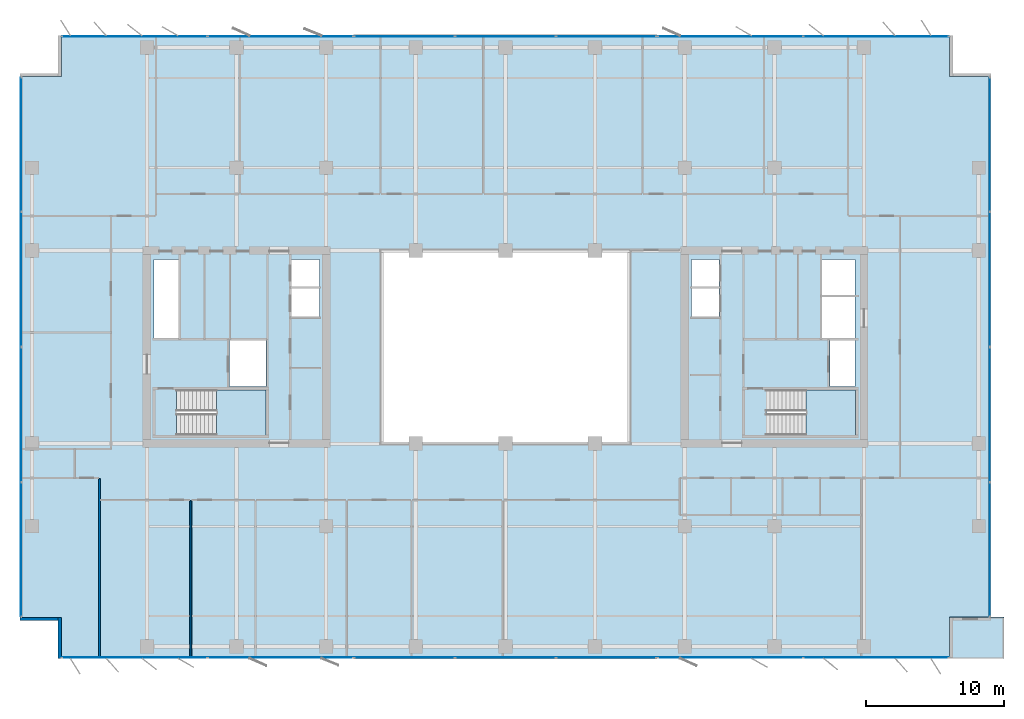
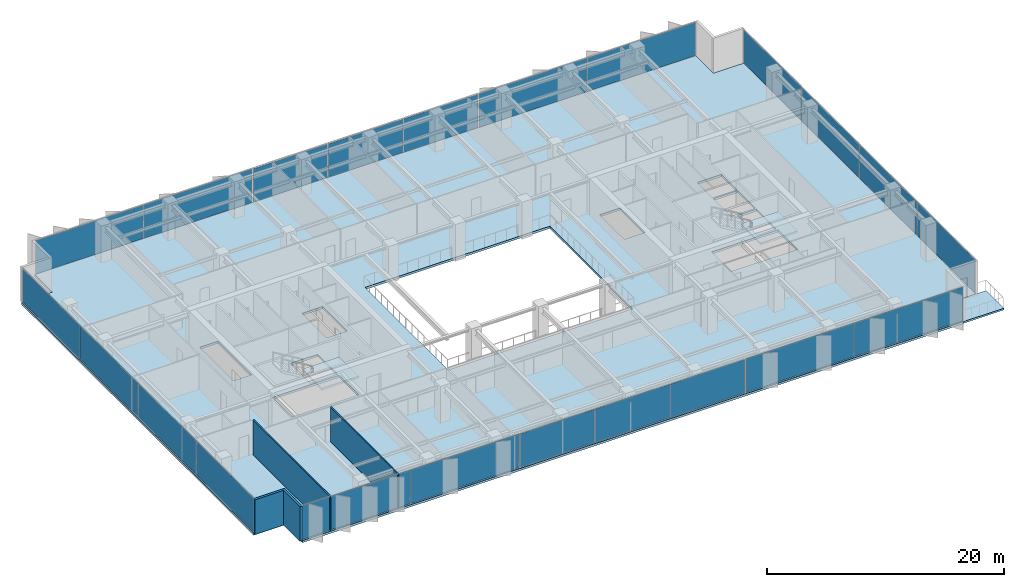
# One storey, part 14 of 22: 22 plates, 4 slabs, 4 walls, 10 elements without a shape of their own.
"""IFC4 building model written with IfcOpenShell, lengths in metres."""

from ifc_helpers import new_model, si_unit, direction, frame, frame_2d, origin, origin_2d, place, context, subcontext, project, spatial, polyline, rectangle, outline, extrude, material, layer, layer_set, type_object, element, aggregate, save


model = new_model("IFC4")

# Units and contexts
model_context = context("Model", 3, precision=1e-05, world=origin(), true_north=direction((0.0, 1.0)))
body_context = subcontext(model_context, "Body", "Model", "MODEL_VIEW")
ifc_project = project(units=[si_unit("LENGTHUNIT", "METRE"), si_unit("AREAUNIT", "SQUARE_METRE"), si_unit("VOLUMEUNIT", "CUBIC_METRE"), si_unit("PLANEANGLEUNIT", "RADIAN"), si_unit("MASSUNIT", "GRAM", prefix="KILO")], contexts=[model_context])

# Site, building, storey
site_placement = place(None, origin())
site = spatial("IfcSite", under=ifc_project, at=site_placement, CompositionType="ELEMENT")
building_placement = place(site_placement, origin())
building = spatial("IfcBuilding", under=site, at=building_placement, Name="Putna Gate Headquarters", CompositionType="ELEMENT")
storey_placement = place(building_placement, frame((0.0, 0.0, 174.60009765625)))
storey = spatial("IfcBuildingStorey", under=building, at=storey_placement, Name="L43", CompositionType="ELEMENT", Elevation=174.60009765625)

# Stair, slab
ifc_material_1 = material(Name="Concrete C40/50", Category="concrete")
stair_type_1 = type_object("IfcStairType", Name="STAIR-ST1", PredefinedType="HALF_TURN_STAIR", material=ifc_material_1)
stair_1_placement = place(storey_placement, origin())
stair_1 = element("IfcStair", 1, at=stair_1_placement, inside=storey, type_object=stair_type_1, Name="L43 West Core Exit Stair ST1", PredefinedType="HALF_TURN_STAIR")
ifc_layer_1 = layer(ifc_material_1, 0.199951171875)
ifc_layer_set_1 = layer_set([ifc_layer_1], Name="Concrete C40/50")
slab_type_1 = type_object("IfcSlabType", Name="LANDING-ST1", PredefinedType="LANDING", material=ifc_layer_set_1)
slab_1_placement = place(storey_placement, frame((0.0, 0.0, 1.699951171875)))
slab_1 = element("IfcSlab", 2, at=slab_1_placement, type_object=slab_type_1, Name="ST1 landing 1", PredefinedType="LANDING", context=body_context, shape_type="SweptSolid", body=[
    extrude(outline(polyline([(18.050048828125, 19.60009765625), (21.64990234375, 19.60009765625), (21.64990234375, 22.89990234375), (18.050048828125, 22.89990234375), (18.050048828125, 19.60009765625)])), origin(), (0.0, 0.0, 1.0), 0.199951171875),
])
aggregate(stair_1, [slab_1])

stair_type_2 = type_object("IfcStairType", Name="STAIR-ST2", PredefinedType="HALF_TURN_STAIR", material=ifc_material_1)
stair_2_placement = place(storey_placement, origin())
stair_2 = element("IfcStair", 3, at=stair_2_placement, inside=storey, type_object=stair_type_2, Name="L43 East Core Exit Stair ST2", PredefinedType="HALF_TURN_STAIR")
ifc_layer_2 = layer(ifc_material_1, 0.199951171875)
ifc_layer_set_2 = layer_set([ifc_layer_2], Name="Concrete C40/50")
slab_type_2 = type_object("IfcSlabType", Name="LANDING-ST2", PredefinedType="LANDING", material=ifc_layer_set_2)
slab_2_placement = place(storey_placement, frame((0.0, 0.0, 1.699951171875)))
slab_2 = element("IfcSlab", 4, at=slab_2_placement, type_object=slab_type_2, Name="ST2 landing 1", PredefinedType="LANDING", context=body_context, shape_type="SweptSolid", body=[
    extrude(outline(polyline([(60.800048828125, 19.60009765625), (64.39990234375, 19.60009765625), (64.39990234375, 22.89990234375), (60.800048828125, 22.89990234375), (60.800048828125, 19.60009765625)])), origin(), (0.0, 0.0, 1.0), 0.199951171875),
])
aggregate(stair_2, [slab_2])

# Curtain wall, plates
ifc_material_2 = material(Name="Anodised bronze aluminium curtain wall", Category="aluminium")
ifc_layer_3 = layer(ifc_material_2, 0.159912109375)
ifc_layer_set_3 = layer_set([ifc_layer_3], Name="Anodised bronze aluminium curtain wall")
curtain_wall_type_1 = type_object("IfcCurtainWallType", Name="CW-SYS-Z3", PredefinedType="USERDEFINED", material=ifc_layer_set_3)
curtain_wall_1_placement = place(storey_placement, origin())
curtain_wall_1 = element("IfcCurtainWall", 5, at=curtain_wall_1_placement, inside=storey, type_object=curtain_wall_type_1, Name="L43 South West Curtain Wall", ObjectType="STICK CURTAIN WALL", PredefinedType="USERDEFINED")
ifc_material_3 = material(Name="Solar-control triple low-E glass", Category="glass")
ifc_layer_4 = layer(ifc_material_3, 0.028076171875)
ifc_layer_set_4 = layer_set([ifc_layer_4], Name="Solar-control triple low-E glass")
plate_type_1 = type_object("IfcPlateType", Name="PAN-CWP-3", PredefinedType="CURTAIN_PANEL", material=ifc_layer_set_4)
plate_1_placement = place(storey_placement, frame((12.1162109375, 3.47998046875, 0.06005859375), z_axis=(0.0, 0.0, 1.0), x_axis=(1.0, 0.0, 0.0)))
plate_1 = element("IfcPlate", 6, at=plate_1_placement, type_object=plate_type_1, Name="CWS-3 panel 1.1", PredefinedType="CURTAIN_PANEL", context=body_context, shape_type="SweptSolid", body=[
    extrude(rectangle(XDim=10.50244140625, YDim=0.028076171875, at=origin_2d()), origin(), (0.0, 0.0, 1.0), 3.451904296875),
])
plate_2_placement = place(storey_placement, frame((22.683837890625, 3.47998046875, 0.06005859375), z_axis=(0.0, 0.0, 1.0), x_axis=(1.0, 0.0, 0.0)))
plate_2 = element("IfcPlate", 7, at=plate_2_placement, type_object=plate_type_1, Name="CWS-3 panel 2.1", PredefinedType="CURTAIN_PANEL", context=body_context, shape_type="SweptSolid", body=[
    extrude(rectangle(XDim=10.50244140625, YDim=0.028076171875, at=origin_2d()), origin(), (0.0, 0.0, 1.0), 3.451904296875),
])
aggregate(curtain_wall_1, [plate_1, plate_2])

curtain_wall_2_placement = place(storey_placement, origin())
curtain_wall_2 = element("IfcCurtainWall", 8, at=curtain_wall_2_placement, inside=storey, type_object=curtain_wall_type_1, Name="L43 South East Curtain Wall", ObjectType="STICK CURTAIN WALL", PredefinedType="USERDEFINED")
plate_3_placement = place(storey_placement, frame((55.316162109375, 3.47998046875, 0.06005859375), z_axis=(0.0, 0.0, 1.0), x_axis=(1.0, 0.0, 0.0)))
plate_3 = element("IfcPlate", 9, at=plate_3_placement, type_object=plate_type_1, Name="CWS-3 panel 1.1", PredefinedType="CURTAIN_PANEL", context=body_context, shape_type="SweptSolid", body=[
    extrude(rectangle(XDim=10.50244140625, YDim=0.028076171875, at=origin_2d()), origin(), (0.0, 0.0, 1.0), 3.451904296875),
])
plate_4_placement = place(storey_placement, frame((65.8837890625, 3.47998046875, 0.06005859375), z_axis=(0.0, 0.0, 1.0), x_axis=(1.0, 0.0, 0.0)))
plate_4 = element("IfcPlate", 10, at=plate_4_placement, type_object=plate_type_1, Name="CWS-3 panel 2.1", PredefinedType="CURTAIN_PANEL", context=body_context, shape_type="SweptSolid", body=[
    extrude(rectangle(XDim=10.50244140625, YDim=0.028076171875, at=origin_2d()), origin(), (0.0, 0.0, 1.0), 3.451904296875),
])
aggregate(curtain_wall_2, [plate_3, plate_4])

curtain_wall_3_placement = place(storey_placement, origin())
curtain_wall_3 = element("IfcCurtainWall", 11, at=curtain_wall_3_placement, inside=storey, type_object=curtain_wall_type_1, Name="L43 North West Curtain Wall", ObjectType="STICK CURTAIN WALL", PredefinedType="USERDEFINED")
plate_5_placement = place(storey_placement, frame((12.1162109375, 48.52001953125, 0.06005859375), z_axis=(0.0, 0.0, 1.0), x_axis=(1.0, 0.0, 0.0)))
plate_5 = element("IfcPlate", 12, at=plate_5_placement, type_object=plate_type_1, Name="CWS-3 panel 1.1", PredefinedType="CURTAIN_PANEL", context=body_context, shape_type="SweptSolid", body=[
    extrude(rectangle(XDim=10.50244140625, YDim=0.028076171875, at=origin_2d()), origin(), (0.0, 0.0, 1.0), 3.451904296875),
])
plate_6_placement = place(storey_placement, frame((22.683837890625, 48.52001953125, 0.06005859375), z_axis=(0.0, 0.0, 1.0), x_axis=(1.0, 0.0, 0.0)))
plate_6 = element("IfcPlate", 13, at=plate_6_placement, type_object=plate_type_1, Name="CWS-3 panel 2.1", PredefinedType="CURTAIN_PANEL", context=body_context, shape_type="SweptSolid", body=[
    extrude(rectangle(XDim=10.50244140625, YDim=0.028076171875, at=origin_2d()), origin(), (0.0, 0.0, 1.0), 3.451904296875),
])
aggregate(curtain_wall_3, [plate_5, plate_6])

curtain_wall_4_placement = place(storey_placement, origin())
curtain_wall_4 = element("IfcCurtainWall", 14, at=curtain_wall_4_placement, inside=storey, type_object=curtain_wall_type_1, Name="L43 North East Curtain Wall", ObjectType="STICK CURTAIN WALL", PredefinedType="USERDEFINED")
plate_7_placement = place(storey_placement, frame((55.316162109375, 48.52001953125, 0.06005859375), z_axis=(0.0, 0.0, 1.0), x_axis=(1.0, 0.0, 0.0)))
plate_7 = element("IfcPlate", 15, at=plate_7_placement, type_object=plate_type_1, Name="CWS-3 panel 1.1", PredefinedType="CURTAIN_PANEL", context=body_context, shape_type="SweptSolid", body=[
    extrude(rectangle(XDim=10.50244140625, YDim=0.028076171875, at=origin_2d()), origin(), (0.0, 0.0, 1.0), 3.451904296875),
])
plate_8_placement = place(storey_placement, frame((65.8837890625, 48.52001953125, 0.06005859375), z_axis=(0.0, 0.0, 1.0), x_axis=(1.0, 0.0, 0.0)))
plate_8 = element("IfcPlate", 16, at=plate_8_placement, type_object=plate_type_1, Name="CWS-3 panel 2.1", PredefinedType="CURTAIN_PANEL", context=body_context, shape_type="SweptSolid", body=[
    extrude(rectangle(XDim=10.50244140625, YDim=0.028076171875, at=origin_2d()), origin(), (0.0, 0.0, 1.0), 3.451904296875),
])
aggregate(curtain_wall_4, [plate_7, plate_8])

curtain_wall_5_placement = place(storey_placement, origin())
curtain_wall_5 = element("IfcCurtainWall", 17, at=curtain_wall_5_placement, inside=storey, type_object=curtain_wall_type_1, Name="L43 West Curtain Wall", ObjectType="STICK CURTAIN WALL", PredefinedType="USERDEFINED")
plate_9_placement = place(storey_placement, frame((3.8798828125, 11.316162109375, 0.06005859375), z_axis=(0.0, 0.0, 1.0), x_axis=(0.0, 1.0, 0.0)))
plate_9 = element("IfcPlate", 18, at=plate_9_placement, type_object=plate_type_1, Name="CWS-3 panel 1.1", PredefinedType="CURTAIN_PANEL", context=body_context, shape_type="SweptSolid", body=[
    extrude(rectangle(XDim=9.702392578125, YDim=0.028076171875, at=origin_2d()), origin(), (0.0, 0.0, 1.0), 3.451904296875),
])
plate_10_placement = place(storey_placement, frame((3.8798828125, 21.10009765625, 0.06005859375), z_axis=(0.0, 0.0, 1.0), x_axis=(0.0, 1.0, 0.0)))
plate_10 = element("IfcPlate", 19, at=plate_10_placement, type_object=plate_type_1, Name="CWS-3 panel 2.1", PredefinedType="CURTAIN_PANEL", context=body_context, shape_type="SweptSolid", body=[
    extrude(rectangle(XDim=9.735107421875, YDim=0.028076171875, at=origin_2d()), origin(), (0.0, 0.0, 1.0), 3.451904296875),
])
plate_11_placement = place(storey_placement, frame((3.8798828125, 30.89990234375, 0.06005859375), z_axis=(0.0, 0.0, 1.0), x_axis=(0.0, 1.0, 0.0)))
plate_11 = element("IfcPlate", 20, at=plate_11_placement, type_object=plate_type_1, Name="CWS-3 panel 3.1", PredefinedType="CURTAIN_PANEL", context=body_context, shape_type="SweptSolid", body=[
    extrude(rectangle(XDim=9.735107421875, YDim=0.028076171875, at=origin_2d()), origin(), (0.0, 0.0, 1.0), 3.451904296875),
])
plate_12_placement = place(storey_placement, frame((3.8798828125, 40.683837890625, 0.06005859375), z_axis=(0.0, 0.0, 1.0), x_axis=(0.0, 1.0, 0.0)))
plate_12 = element("IfcPlate", 21, at=plate_12_placement, type_object=plate_type_1, Name="CWS-3 panel 4.1", PredefinedType="CURTAIN_PANEL", context=body_context, shape_type="SweptSolid", body=[
    extrude(rectangle(XDim=9.702392578125, YDim=0.028076171875, at=origin_2d()), origin(), (0.0, 0.0, 1.0), 3.451904296875),
])
aggregate(curtain_wall_5, [plate_9, plate_10, plate_11, plate_12])

curtain_wall_6_placement = place(storey_placement, origin())
curtain_wall_6 = element("IfcCurtainWall", 22, at=curtain_wall_6_placement, inside=storey, type_object=curtain_wall_type_1, Name="L43 East Curtain Wall", ObjectType="STICK CURTAIN WALL", PredefinedType="USERDEFINED")
plate_13_placement = place(storey_placement, frame((74.1201171875, 11.316162109375, 0.06005859375), z_axis=(0.0, 0.0, 1.0), x_axis=(0.0, 1.0, 0.0)))
plate_13 = element("IfcPlate", 23, at=plate_13_placement, type_object=plate_type_1, Name="CWS-3 panel 1.1", PredefinedType="CURTAIN_PANEL", context=body_context, shape_type="SweptSolid", body=[
    extrude(rectangle(XDim=9.702392578125, YDim=0.028076171875, at=origin_2d()), origin(), (0.0, 0.0, 1.0), 3.451904296875),
])
plate_14_placement = place(storey_placement, frame((74.1201171875, 21.10009765625, 0.06005859375), z_axis=(0.0, 0.0, 1.0), x_axis=(0.0, 1.0, 0.0)))
plate_14 = element("IfcPlate", 24, at=plate_14_placement, type_object=plate_type_1, Name="CWS-3 panel 2.1", PredefinedType="CURTAIN_PANEL", context=body_context, shape_type="SweptSolid", body=[
    extrude(rectangle(XDim=9.735107421875, YDim=0.028076171875, at=origin_2d()), origin(), (0.0, 0.0, 1.0), 3.451904296875),
])
plate_15_placement = place(storey_placement, frame((74.1201171875, 30.89990234375, 0.06005859375), z_axis=(0.0, 0.0, 1.0), x_axis=(0.0, 1.0, 0.0)))
plate_15 = element("IfcPlate", 25, at=plate_15_placement, type_object=plate_type_1, Name="CWS-3 panel 3.1", PredefinedType="CURTAIN_PANEL", context=body_context, shape_type="SweptSolid", body=[
    extrude(rectangle(XDim=9.735107421875, YDim=0.028076171875, at=origin_2d()), origin(), (0.0, 0.0, 1.0), 3.451904296875),
])
plate_16_placement = place(storey_placement, frame((74.1201171875, 40.683837890625, 0.06005859375), z_axis=(0.0, 0.0, 1.0), x_axis=(0.0, 1.0, 0.0)))
plate_16 = element("IfcPlate", 26, at=plate_16_placement, type_object=plate_type_1, Name="CWS-3 panel 4.1", PredefinedType="CURTAIN_PANEL", context=body_context, shape_type="SweptSolid", body=[
    extrude(rectangle(XDim=9.702392578125, YDim=0.028076171875, at=origin_2d()), origin(), (0.0, 0.0, 1.0), 3.451904296875),
])
aggregate(curtain_wall_6, [plate_13, plate_14, plate_15, plate_16])

ifc_layer_5 = layer(ifc_material_2, 0.179931640625)
ifc_layer_set_5 = layer_set([ifc_layer_5], Name="Anodised bronze aluminium curtain wall")
curtain_wall_type_2 = type_object("IfcCurtainWallType", Name="CW-SYS-ATR", PredefinedType="USERDEFINED", material=ifc_layer_set_5)
curtain_wall_7_placement = place(storey_placement, origin())
curtain_wall_7 = element("IfcCurtainWall", 27, at=curtain_wall_7_placement, inside=storey, type_object=curtain_wall_type_2, Name="L43 South Atrium Clear Glazing", ObjectType="ATRIUM GLAZING", PredefinedType="USERDEFINED")
ifc_material_4 = material(Name="Clear low-iron triple glazing", Category="glass")
ifc_layer_6 = layer(ifc_material_4, 0.0400390625)
ifc_layer_set_6 = layer_set([ifc_layer_6], Name="Clear low-iron triple glazing")
plate_type_2 = type_object("IfcPlateType", Name="PAN-CWP-AT", PredefinedType="CURTAIN_PANEL", material=ifc_layer_set_6)
plate_17_placement = place(storey_placement, frame((31.68408203125, 3.47998046875, 0.06982421875), z_axis=(0.0, 0.0, 1.0), x_axis=(1.0, 0.0, 0.0)))
plate_17 = element("IfcPlate", 28, at=plate_17_placement, type_object=plate_type_2, Name="CWS-AT panel 1.1", PredefinedType="CURTAIN_PANEL", context=body_context, shape_type="SweptSolid", body=[
    extrude(rectangle(XDim=7.228271484375, YDim=0.0400390625, at=origin_2d()), origin(), (0.0, 0.0, 1.0), 3.431884765625),
])
plate_18_placement = place(storey_placement, frame((39.0, 3.47998046875, 0.06982421875), z_axis=(0.0, 0.0, 1.0), x_axis=(1.0, 0.0, 0.0)))
plate_18 = element("IfcPlate", 29, at=plate_18_placement, type_object=plate_type_2, Name="CWS-AT panel 2.1", PredefinedType="CURTAIN_PANEL", context=body_context, shape_type="SweptSolid", body=[
    extrude(rectangle(XDim=7.263427734375, YDim=0.0400390625, at=origin_2d()), origin(), (0.0, 0.0, 1.0), 3.431884765625),
])
plate_19_placement = place(storey_placement, frame((46.31591796875, 3.47998046875, 0.06982421875), z_axis=(0.0, 0.0, 1.0), x_axis=(1.0, 0.0, 0.0)))
plate_19 = element("IfcPlate", 30, at=plate_19_placement, type_object=plate_type_2, Name="CWS-AT panel 3.1", PredefinedType="CURTAIN_PANEL", context=body_context, shape_type="SweptSolid", body=[
    extrude(rectangle(XDim=7.228271484375, YDim=0.0400390625, at=origin_2d()), origin(), (0.0, 0.0, 1.0), 3.431884765625),
])
aggregate(curtain_wall_7, [plate_17, plate_18, plate_19])

curtain_wall_8_placement = place(storey_placement, origin())
curtain_wall_8 = element("IfcCurtainWall", 31, at=curtain_wall_8_placement, inside=storey, type_object=curtain_wall_type_2, Name="L43 North Atrium Clear Glazing", ObjectType="ATRIUM GLAZING", PredefinedType="USERDEFINED")
plate_20_placement = place(storey_placement, frame((31.68408203125, 48.52001953125, 0.06982421875), z_axis=(0.0, 0.0, 1.0), x_axis=(1.0, 0.0, 0.0)))
plate_20 = element("IfcPlate", 32, at=plate_20_placement, type_object=plate_type_2, Name="CWS-AT panel 1.1", PredefinedType="CURTAIN_PANEL", context=body_context, shape_type="SweptSolid", body=[
    extrude(rectangle(XDim=7.228271484375, YDim=0.0400390625, at=origin_2d()), origin(), (0.0, 0.0, 1.0), 3.431884765625),
])
plate_21_placement = place(storey_placement, frame((39.0, 48.52001953125, 0.06982421875), z_axis=(0.0, 0.0, 1.0), x_axis=(1.0, 0.0, 0.0)))
plate_21 = element("IfcPlate", 33, at=plate_21_placement, type_object=plate_type_2, Name="CWS-AT panel 2.1", PredefinedType="CURTAIN_PANEL", context=body_context, shape_type="SweptSolid", body=[
    extrude(rectangle(XDim=7.263427734375, YDim=0.0400390625, at=origin_2d()), origin(), (0.0, 0.0, 1.0), 3.431884765625),
])
plate_22_placement = place(storey_placement, frame((46.31591796875, 48.52001953125, 0.06982421875), z_axis=(0.0, 0.0, 1.0), x_axis=(1.0, 0.0, 0.0)))
plate_22 = element("IfcPlate", 34, at=plate_22_placement, type_object=plate_type_2, Name="CWS-AT panel 3.1", PredefinedType="CURTAIN_PANEL", context=body_context, shape_type="SweptSolid", body=[
    extrude(rectangle(XDim=7.228271484375, YDim=0.0400390625, at=origin_2d()), origin(), (0.0, 0.0, 1.0), 3.431884765625),
])
aggregate(curtain_wall_8, [plate_20, plate_21, plate_22])

# Slabs
ifc_layer_7 = layer(ifc_material_1, 0.179931640625)
ifc_layer_set_7 = layer_set([ifc_layer_7], Name="Concrete C40/50")
slab_type_3 = type_object("IfcSlabType", Name="SLAB-TERRACE-180", PredefinedType="FLOOR", material=ifc_layer_set_7)
slab_3_placement = place(storey_placement, frame((0.0, 0.0, -0.18017578125)))
element("IfcSlab", 35, at=slab_3_placement, inside=storey, type_object=slab_type_3, Name="L43 Spiral Sky-Garden Terrace Slab (SE)", PredefinedType="FLOOR", context=body_context, shape_type="SweptSolid", body=[
    extrude(outline(polyline([(71.19189453125, 3.39990234375), (75.14990234375, 3.39990234375), (75.14990234375, 6.407958984375), (71.19189453125, 6.407958984375), (71.19189453125, 3.39990234375)])), origin(), (0.0, 0.0, 1.0), 0.18017578125),
])
ifc_layer_8 = layer(ifc_material_1, 0.22802734375)
ifc_layer_set_8 = layer_set([ifc_layer_8], Name="Concrete C40/50")
slab_type_4 = type_object("IfcSlabType", Name="SLAB-Z3-228", PredefinedType="FLOOR", material=ifc_layer_set_8)
slab_4_placement = place(storey_placement, frame((0.0, 0.0, -0.22802734375)))
element("IfcSlab", 36, at=slab_4_placement, inside=storey, type_object=slab_type_4, Name="L43 Composite Floor Slab", PredefinedType="FLOOR", context=body_context, shape_type="SweptSolid", body=[
    extrude(outline(polyline([(6.800048828125, 3.39990234375), (71.199951171875, 3.39990234375), (71.199951171875, 6.39990234375), (74.199951171875, 6.39990234375), (74.199951171875, 45.60009765625), (71.199951171875, 45.60009765625), (71.199951171875, 48.60009765625), (6.800048828125, 48.60009765625), (6.800048828125, 45.60009765625), (3.800048828125, 45.60009765625), (3.800048828125, 6.39990234375), (6.800048828125, 6.39990234375), (6.800048828125, 3.39990234375)]), holes=[polyline([(15.1650390625, 19.60009765625), (21.64990234375, 19.60009765625), (21.64990234375, 22.89990234375), (15.1650390625, 22.89990234375), (15.1650390625, 19.60009765625)]), polyline([(57.9150390625, 19.60009765625), (64.39990234375, 19.60009765625), (64.39990234375, 22.89990234375), (57.9150390625, 22.89990234375), (57.9150390625, 19.60009765625)]), polyline([(13.52001953125, 26.659912109375), (15.280029296875, 26.659912109375), (15.280029296875, 32.35009765625), (13.52001953125, 32.35009765625), (13.52001953125, 26.659912109375)]), polyline([(61.969970703125, 29.780029296875), (64.35009765625, 29.780029296875), (64.35009765625, 32.35009765625), (61.969970703125, 32.35009765625), (61.969970703125, 29.780029296875)]), polyline([(18.97998046875, 23.1201171875), (21.6201171875, 23.1201171875), (21.6201171875, 26.4599609375), (18.97998046875, 26.4599609375), (18.97998046875, 23.1201171875)]), polyline([(62.52001953125, 23.1201171875), (64.35009765625, 23.1201171875), (64.35009765625, 26.4599609375), (62.52001953125, 26.4599609375), (62.52001953125, 23.1201171875)]), polyline([(61.969970703125, 26.659912109375), (64.35009765625, 26.659912109375), (64.35009765625, 29.6201171875), (61.969970703125, 29.6201171875), (61.969970703125, 26.659912109375)]), polyline([(23.5, 28.199951171875), (25.5, 28.199951171875), (25.5, 32.35009765625), (23.5, 32.35009765625), (23.5, 28.199951171875)]), polyline([(52.47998046875, 28.199951171875), (54.5, 28.199951171875), (54.5, 32.35009765625), (52.47998046875, 32.35009765625), (52.47998046875, 28.199951171875)]), polyline([(30.0, 19.0), (48.0, 19.0), (48.0, 33.0), (30.0, 33.0), (30.0, 19.0)])]), origin(), (0.0, 0.0, 1.0), 0.22802734375),
])

# Walls
ifc_material_5 = material(Name="Precast concrete C40/50", Category="concrete")
ifc_layer_9 = layer(ifc_material_5, 0.239990234375)
ifc_layer_set_9 = layer_set([ifc_layer_9], Name="Precast concrete C40/50")
wall_type_1 = type_object("IfcWallType", Name="WALL-EXT-TERR-240", PredefinedType="STANDARD", material=ifc_layer_set_9)
for number, where, z_axis, x_axis, name in (
    (37, (6.679931640625, 3.39990234375, 0.0), (0.0, 0.0, 1.0), (0.0, 1.0, 0.0), "L43 Corner Notch Return Wall SW-V"),
    (38, (6.800048828125, 6.280029296875, 0.0), (0.0, 0.0, 1.0), (-1.0, 0.0, 0.0), "L43 Corner Notch Return Wall SW-H"),
):
    element("IfcWall", number, at=place(storey_placement, frame(where, z_axis=z_axis, x_axis=x_axis)), inside=storey, type_object=wall_type_1, Name=name, PredefinedType="STANDARD", context=body_context, shape_type="SweptSolid", body=[
        extrude(rectangle(XDim=3.0, YDim=0.239990234375, at=frame_2d((1.5, 0.0))), origin(), (0.0, 0.0, 1.0), 3.572021484375),
    ])
ifc_material_6 = material(Name="Acoustic gypsum board on metal stud")
ifc_layer_10 = layer(ifc_material_6, 0.1201171875)
ifc_layer_set_10 = layer_set([ifc_layer_10], Name="Acoustic gypsum board on metal stud")
wall_type_2 = type_object("IfcWallType", Name="WALL-PART-120", PredefinedType="PARTITIONING", material=ifc_layer_set_10)
wall_1_placement = place(storey_placement, frame((9.56494140625, 3.419921875, 0.0), z_axis=(0.0, 0.0, 1.0), x_axis=(0.0, 1.0, 0.0)))
element("IfcWall", 39, at=wall_1_placement, inside=storey, type_object=wall_type_2, Name="L43 Interior Wall PART-L43-SB-DIV-01", PredefinedType="PARTITIONING", context=body_context, shape_type="SweptSolid", body=[
    extrude(rectangle(XDim=13.02001953125, YDim=0.1201171875, at=frame_2d((6.510009765625, 0.0))), origin(), (0.0, 0.0, 1.0), 3.572021484375),
])
wall_2_placement = place(storey_placement, frame((16.18408203125, 3.419921875, 0.0), z_axis=(0.0, 0.0, 1.0), x_axis=(0.0, 1.0, 0.0)))
element("IfcWall", 40, at=wall_2_placement, inside=storey, type_object=wall_type_2, Name="L43 Interior Wall PART-L43-SB-DIV-02", PredefinedType="PARTITIONING", context=body_context, shape_type="SweptSolid", body=[
    extrude(rectangle(XDim=11.420166015625, YDim=0.1201171875, at=frame_2d((5.7099609375, 0.0))), origin(), (0.0, 0.0, 1.0), 3.572021484375),
])

save(model, "model.ifc")
